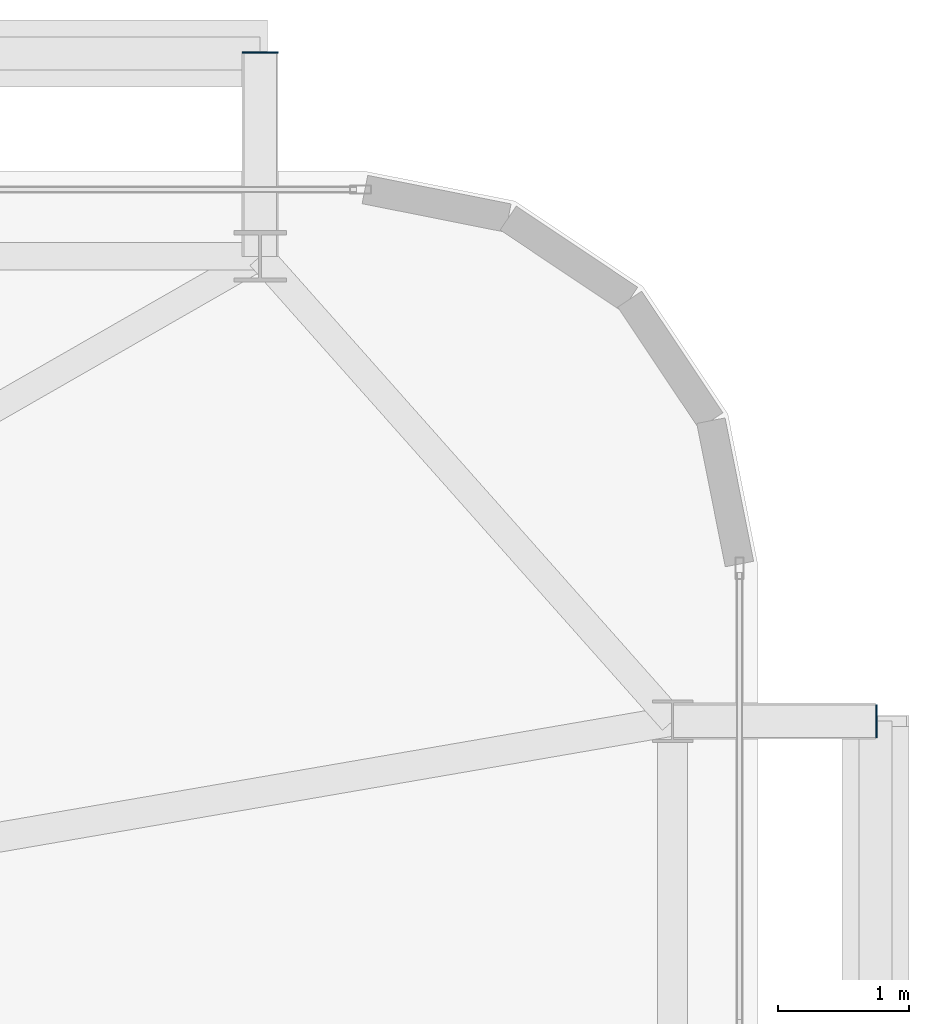
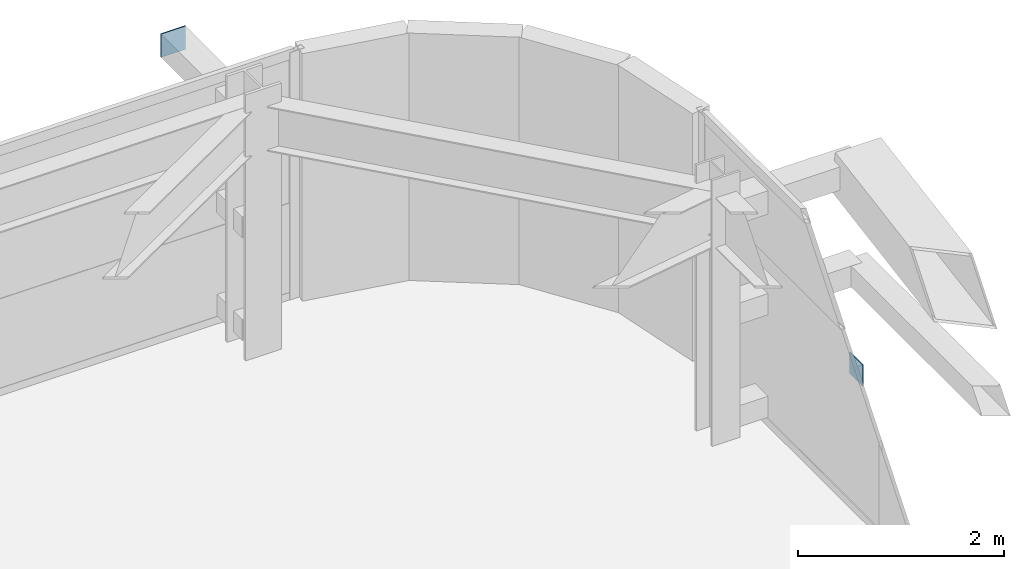
# One storey, part 38 of 44: 2 plates.
"""IFC4 building model written with IfcOpenShell, lengths in metres."""

from ifc_helpers import new_model, si_unit, direction, frame, origin, origin_2d, place, context, subcontext, project, spatial, rectangle, extrude, source, transform, mapped, material, layer, layer_set, type_object, element, save


model = new_model("IFC4")

# Units and contexts
model_context = context("Model", 3, precision=1e-05, world=origin(), true_north=direction((0.0, 1.0)))
body_context = subcontext(model_context, "Body", "Model", "MODEL_VIEW")
ifc_project = project(units=[si_unit("LENGTHUNIT", "METRE"), si_unit("AREAUNIT", "SQUARE_METRE"), si_unit("VOLUMEUNIT", "CUBIC_METRE"), si_unit("PLANEANGLEUNIT", "RADIAN"), si_unit("MASSUNIT", "GRAM", prefix="KILO")], contexts=[model_context])

# Site, building, storey
site_placement = place(None, origin())
site = spatial("IfcSite", under=ifc_project, at=site_placement, CompositionType="ELEMENT")
building_placement = place(site_placement, origin())
building = spatial("IfcBuilding", under=site, at=building_placement, Name="Taldren Reach Tower", CompositionType="ELEMENT")
storey_placement = place(building_placement, frame((0.0, 0.0, 38.85009765625)))
storey = spatial("IfcBuildingStorey", under=building, at=storey_placement, Name="L11", CompositionType="ELEMENT", Elevation=38.85009765625)

# Plates
ifc_material_1 = material(Name="Steel Gr 450 (C450L0)", Category="steel")
ifc_layer_1 = layer(ifc_material_1, 0.011962890625)
ifc_layer_set_1 = layer_set([ifc_layer_1], Name="Steel Gr 450 (C450L0)")
plate_type_1 = type_object("IfcPlateType", Name="PL-CAP-275", PredefinedType="SHEET", material=ifc_layer_set_1)
shared_shape_1 = source(origin(), body_context, "Body", "SweptSolid", [
    extrude(rectangle(XDim=0.27490234375, YDim=0.011962890625, at=origin_2d()), origin(), (0.0, 0.0, 1.0), 0.27490234375),
])
plate_1_placement = place(storey_placement, frame((61.199951171875, 39.406005859375, 2.512451171875), z_axis=(0.0, 0.0, 1.0), x_axis=(1.0, 0.0, 0.0)))
element("IfcPlate", 1, at=plate_1_placement, inside=storey, type_object=plate_type_1, Name="Tie strut end cap plate B1-N6 L11", PredefinedType="SHEET", context=body_context, shape_type="MappedRepresentation", body=[
    mapped(shared_shape_1, transform((0.0, 0.0, 0.0), scale=1.0)),
])
ifc_material_2 = material(Name="Steel Gr 350 (C350L0)", Category="steel")
ifc_layer_2 = layer(ifc_material_2, 0.011962890625)
ifc_layer_set_2 = layer_set([ifc_layer_2], Name="Steel Gr 350 (C350L0)")
plate_type_2 = type_object("IfcPlateType", Name="PL-CAP-250", PredefinedType="SHEET", material=ifc_layer_set_2)
shared_shape_2 = source(origin(), body_context, "Body", "SweptSolid", [
    extrude(rectangle(XDim=0.011962890625, YDim=0.25, at=origin_2d()), origin(), (0.0, 0.0, 1.0), 0.25),
])
plate_2_placement = place(storey_placement, frame((65.906005859375, 34.300048828125, 0.094970703125), z_axis=(0.0, 0.0, 1.0), x_axis=(1.0, 0.0, 0.0)))
element("IfcPlate", 2, at=plate_2_placement, inside=storey, type_object=plate_type_2, Name="Tie strut end cap plate B1-E3 L11", PredefinedType="SHEET", context=body_context, shape_type="MappedRepresentation", body=[
    mapped(shared_shape_2, transform((0.0, 0.0, 0.0), scale=1.0)),
])

save(model, "model.ifc")
